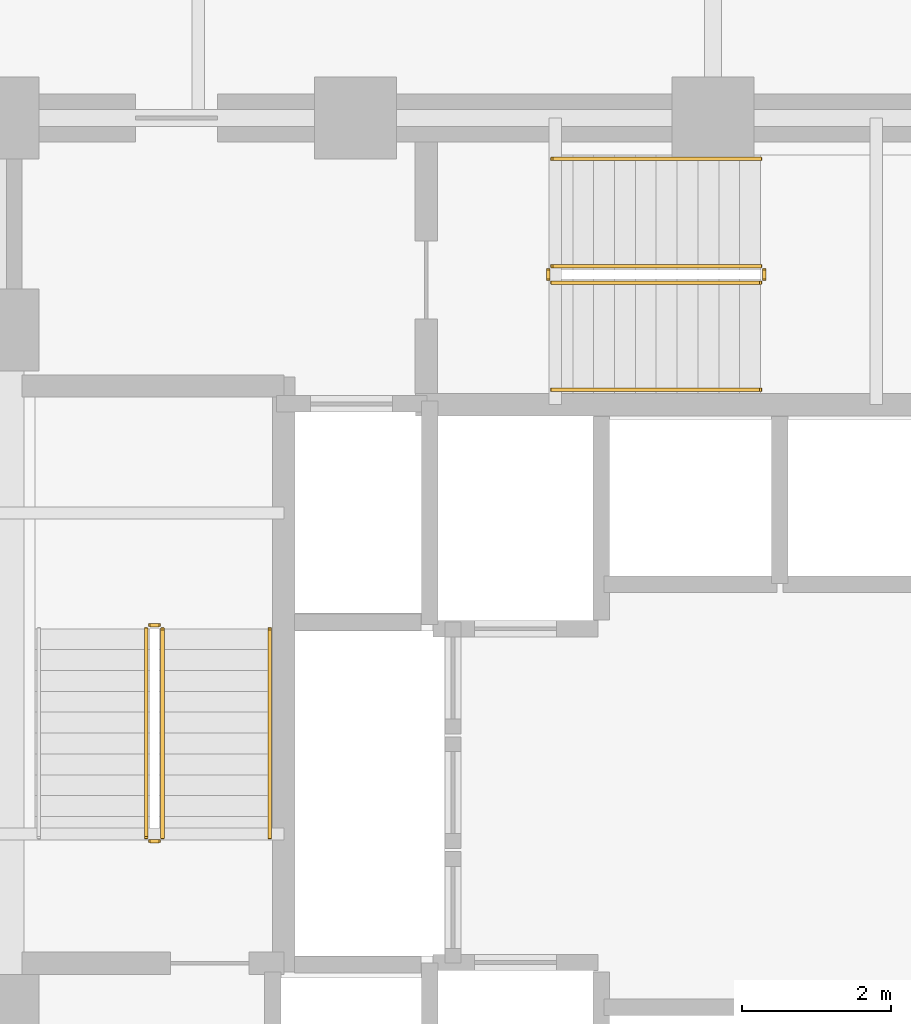
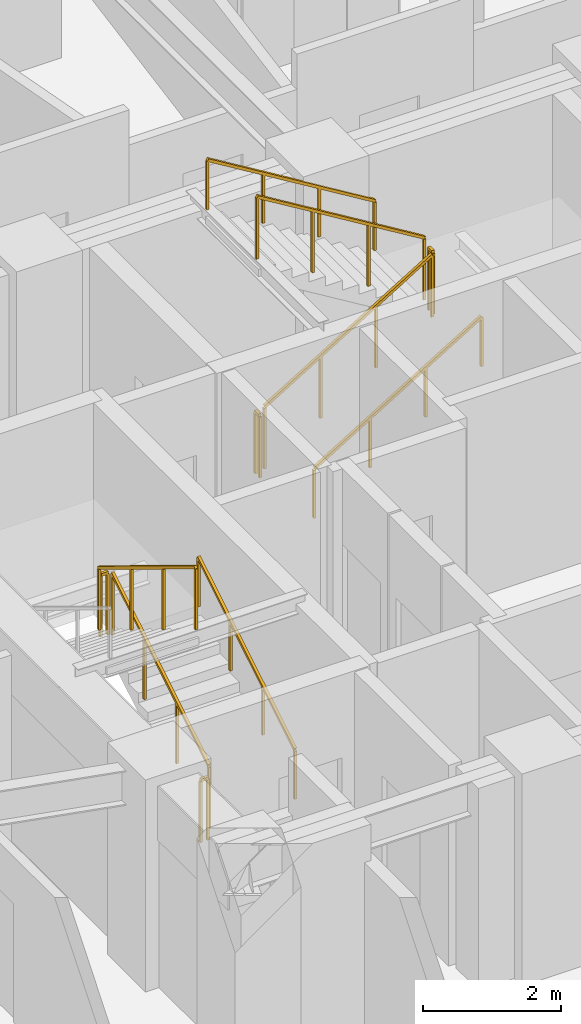
# One storey, part 30 of 33: 11 railings.
"""IFC4 building model written with IfcOpenShell, lengths in metres."""

from ifc_helpers import new_model, si_unit, direction, frame, origin, origin_2d, place, context, subcontext, project, spatial, rectangle, extrude, material, type_object, element, save


model = new_model("IFC4")

# Units and contexts
model_context = context("Model", 3, precision=1e-05, world=origin(), true_north=direction((0.0, 1.0)))
body_context = subcontext(model_context, "Body", "Model", "MODEL_VIEW")
ifc_project = project(units=[si_unit("LENGTHUNIT", "METRE"), si_unit("AREAUNIT", "SQUARE_METRE"), si_unit("VOLUMEUNIT", "CUBIC_METRE"), si_unit("PLANEANGLEUNIT", "RADIAN"), si_unit("MASSUNIT", "GRAM", prefix="KILO")], contexts=[model_context])

# Site, building, storey
site_placement = place(None, origin())
site = spatial("IfcSite", under=ifc_project, at=site_placement, CompositionType="ELEMENT")
building_placement = place(site_placement, origin())
building = spatial("IfcBuilding", under=site, at=building_placement, Name="Vantalir Tower", CompositionType="ELEMENT")
storey_placement = place(building_placement, frame((0.0, 0.0, 68.25)))
storey = spatial("IfcBuildingStorey", under=building, at=storey_placement, Name="L16", CompositionType="ELEMENT", Elevation=68.25)

# Railings
ifc_material_1 = material(Name="Anodised aluminium and stainless steel guard", Category="steel")
railing_type_1 = type_object("IfcRailingType", Name="RAL-GUARD-1120", PredefinedType="GUARDRAIL", material=ifc_material_1)
railing_1_placement = place(storey_placement, frame((24.110107421875, 22.7900390625, 0.17041015625)))
element("IfcRailing", 1, at=railing_1_placement, inside=storey, type_object=railing_type_1, Name="L16 ST1 stair guard 1", PredefinedType="GUARDRAIL", context=body_context, shape_type="SweptSolid", body=[
    extrude(rectangle(XDim=0.048095703125, YDim=0.048095703125, at=origin_2d()), frame((0.0, 0.0, 1.09619140625), z_axis=(0.0, 0.854169791009, 0.51999420009), x_axis=(-1.0, 0.0, 0.0)), (0.0, 0.0, 1.0), 3.278076171875),
    extrude(rectangle(XDim=0.0419921875, YDim=0.0419921875, at=origin_2d()), origin(), (0.0, 0.0, 1.0), 1.072021484375),
    extrude(rectangle(XDim=0.0419921875, YDim=0.0419921875, at=origin_2d()), frame((0.0, 0.933349609375, 0.568115234375)), (0.0, 0.0, 1.0), 1.072021484375),
    extrude(rectangle(XDim=0.0419921875, YDim=0.0419921875, at=origin_2d()), frame((0.0, 1.86669921875, 1.136474609375)), (0.0, 0.0, 1.0), 1.072021484375),
    extrude(rectangle(XDim=0.0419921875, YDim=0.0419921875, at=origin_2d()), frame((0.0, 2.800048828125, 1.70458984375)), (0.0, 0.0, 1.0), 1.072021484375),
])
railing_2_placement = place(storey_placement, frame((24.06005859375, 25.639892578125, 1.875)))
element("IfcRailing", 2, at=railing_2_placement, inside=storey, type_object=railing_type_1, Name="L16 ST1 stair guard 2", PredefinedType="GUARDRAIL", context=body_context, shape_type="SweptSolid", body=[
    extrude(rectangle(XDim=0.048095703125, YDim=0.048095703125, at=origin_2d()), frame((0.0, 0.0, 1.09619140625), z_axis=(-1.0, 0.0, 0.0), x_axis=(0.0, -1.0, 0.0)), (0.0, 0.0, 1.0), 0.1201171875),
    extrude(rectangle(XDim=0.0419921875, YDim=0.0419921875, at=origin_2d()), origin(), (0.0, 0.0, 1.0), 1.072021484375),
    extrude(rectangle(XDim=0.0419921875, YDim=0.0419921875, at=origin_2d()), frame((-0.1201171875, 0.0, 0.0)), (0.0, 0.0, 1.0), 1.072021484375),
])
railing_3_placement = place(storey_placement, frame((23.889892578125, 25.590087890625, 2.04541015625)))
element("IfcRailing", 3, at=railing_3_placement, inside=storey, type_object=railing_type_1, Name="L16 ST1 stair guard 3", PredefinedType="GUARDRAIL", context=body_context, shape_type="SweptSolid", body=[
    extrude(rectangle(XDim=0.048095703125, YDim=0.048095703125, at=origin_2d()), frame((0.0, 0.0, 1.09619140625), z_axis=(0.0, -0.854169791009, 0.51999420009), x_axis=(1.0, 0.0, 0.0)), (0.0, 0.0, 1.0), 3.278076171875),
    extrude(rectangle(XDim=0.0419921875, YDim=0.0419921875, at=origin_2d()), origin(), (0.0, 0.0, 1.0), 1.072021484375),
    extrude(rectangle(XDim=0.0419921875, YDim=0.0419921875, at=origin_2d()), frame((0.0, -0.933349609375, 0.568115234375)), (0.0, 0.0, 1.0), 1.072021484375),
    extrude(rectangle(XDim=0.0419921875, YDim=0.0419921875, at=origin_2d()), frame((0.0, -1.86669921875, 1.136474609375)), (0.0, 0.0, 1.0), 1.072021484375),
    extrude(rectangle(XDim=0.0419921875, YDim=0.0419921875, at=origin_2d()), frame((0.0, -2.800048828125, 1.70458984375)), (0.0, 0.0, 1.0), 1.072021484375),
])
railing_4_placement = place(storey_placement, frame((24.06005859375, 22.739990234375, 0.0)))
element("IfcRailing", 4, at=railing_4_placement, inside=storey, type_object=railing_type_1, Name="L16 ST1 stair guard 4", PredefinedType="GUARDRAIL", context=body_context, shape_type="SweptSolid", body=[
    extrude(rectangle(XDim=0.048095703125, YDim=0.048095703125, at=origin_2d()), frame((0.0, 0.0, 1.09619140625), z_axis=(-1.0, 0.0, 0.0), x_axis=(0.0, -1.0, 0.0)), (0.0, 0.0, 1.0), 0.1201171875),
    extrude(rectangle(XDim=0.0419921875, YDim=0.0419921875, at=origin_2d()), origin(), (0.0, 0.0, 1.0), 1.072021484375),
    extrude(rectangle(XDim=0.0419921875, YDim=0.0419921875, at=origin_2d()), frame((-0.1201171875, 0.0, 0.0)), (0.0, 0.0, 1.0), 1.072021484375),
])
railing_5_placement = place(storey_placement, frame((29.340087890625, 30.239990234375, 0.17041015625)))
element("IfcRailing", 5, at=railing_5_placement, inside=storey, type_object=railing_type_1, Name="L16 ST3 stair guard 1", PredefinedType="GUARDRAIL", context=body_context, shape_type="SweptSolid", body=[
    extrude(rectangle(XDim=0.048095703125, YDim=0.048095703125, at=origin_2d()), frame((0.0, 0.0, 1.09619140625), z_axis=(0.854149651119, 0.0, 0.520027281489), x_axis=(0.0, 1.0, 0.0)), (0.0, 0.0, 1.0), 3.27783203125),
    extrude(rectangle(XDim=0.0419921875, YDim=0.0419921875, at=origin_2d()), origin(), (0.0, 0.0, 1.0), 1.072021484375),
    extrude(rectangle(XDim=0.0419921875, YDim=0.0419921875, at=origin_2d()), frame((0.933349609375, 0.0, 0.568115234375)), (0.0, 0.0, 1.0), 1.072021484375),
    extrude(rectangle(XDim=0.0419921875, YDim=0.0419921875, at=origin_2d()), frame((1.866455078125, 0.0, 1.136474609375)), (0.0, 0.0, 1.0), 1.072021484375),
    extrude(rectangle(XDim=0.0419921875, YDim=0.0419921875, at=origin_2d()), frame((2.7998046875, 0.0, 1.70458984375)), (0.0, 0.0, 1.0), 1.072021484375),
])
railing_6_placement = place(storey_placement, frame((32.18994140625, 30.2900390625, 1.875)))
element("IfcRailing", 6, at=railing_6_placement, inside=storey, type_object=railing_type_1, Name="L16 ST3 stair guard 2", PredefinedType="GUARDRAIL", context=body_context, shape_type="SweptSolid", body=[
    extrude(rectangle(XDim=0.048095703125, YDim=0.048095703125, at=origin_2d()), frame((0.0, 0.0, 1.09619140625), z_axis=(0.0, 1.0, 0.0), x_axis=(-1.0, 0.0, 0.0)), (0.0, 0.0, 1.0), 0.119873046875),
    extrude(rectangle(XDim=0.0419921875, YDim=0.0419921875, at=origin_2d()), origin(), (0.0, 0.0, 1.0), 1.072021484375),
    extrude(rectangle(XDim=0.0419921875, YDim=0.0419921875, at=origin_2d()), frame((0.0, 0.119873046875, 0.0)), (0.0, 0.0, 1.0), 1.072021484375),
])
railing_7_placement = place(storey_placement, frame((32.139892578125, 30.4599609375, 2.04541015625)))
element("IfcRailing", 7, at=railing_7_placement, inside=storey, type_object=railing_type_1, Name="L16 ST3 stair guard 3", PredefinedType="GUARDRAIL", context=body_context, shape_type="SweptSolid", body=[
    extrude(rectangle(XDim=0.048095703125, YDim=0.048095703125, at=origin_2d()), frame((0.0, 0.0, 1.09619140625), z_axis=(-0.854149651119, 0.0, 0.520027281489), x_axis=(0.0, -1.0, 0.0)), (0.0, 0.0, 1.0), 3.27783203125),
    extrude(rectangle(XDim=0.0419921875, YDim=0.0419921875, at=origin_2d()), origin(), (0.0, 0.0, 1.0), 1.072021484375),
    extrude(rectangle(XDim=0.0419921875, YDim=0.0419921875, at=origin_2d()), frame((-0.933349609375, 0.0, 0.568115234375)), (0.0, 0.0, 1.0), 1.072021484375),
    extrude(rectangle(XDim=0.0419921875, YDim=0.0419921875, at=origin_2d()), frame((-1.866455078125, 0.0, 1.136474609375)), (0.0, 0.0, 1.0), 1.072021484375),
    extrude(rectangle(XDim=0.0419921875, YDim=0.0419921875, at=origin_2d()), frame((-2.7998046875, 0.0, 1.70458984375)), (0.0, 0.0, 1.0), 1.072021484375),
])
railing_8_placement = place(storey_placement, frame((29.2900390625, 30.2900390625, 0.0)))
element("IfcRailing", 8, at=railing_8_placement, inside=storey, type_object=railing_type_1, Name="L16 ST3 stair guard 4", PredefinedType="GUARDRAIL", context=body_context, shape_type="SweptSolid", body=[
    extrude(rectangle(XDim=0.048095703125, YDim=0.048095703125, at=origin_2d()), frame((0.0, 0.0, 1.09619140625), z_axis=(0.0, 1.0, 0.0), x_axis=(-1.0, 0.0, 0.0)), (0.0, 0.0, 1.0), 0.119873046875),
    extrude(rectangle(XDim=0.0419921875, YDim=0.0419921875, at=origin_2d()), origin(), (0.0, 0.0, 1.0), 1.072021484375),
    extrude(rectangle(XDim=0.0419921875, YDim=0.0419921875, at=origin_2d()), frame((0.0, 0.119873046875, 0.0)), (0.0, 0.0, 1.0), 1.072021484375),
])
ifc_material_2 = material(Name="Brushed stainless steel tubular handrail", Category="steel")
railing_type_2 = type_object("IfcRailingType", Name="RAL-HANDRAIL-900", PredefinedType="HANDRAIL", material=ifc_material_2)
railing_9_placement = place(storey_placement, frame((25.550048828125, 22.7900390625, 0.17041015625)))
element("IfcRailing", 9, at=railing_9_placement, inside=storey, type_object=railing_type_2, Name="L16 ST1 stair handrail 1", PredefinedType="HANDRAIL", context=body_context, shape_type="SweptSolid", body=[
    extrude(rectangle(XDim=0.048095703125, YDim=0.048095703125, at=origin_2d()), frame((0.0, 0.0, 0.8759765625), z_axis=(0.0, 0.854169791009, 0.51999420009), x_axis=(-1.0, 0.0, 0.0)), (0.0, 0.0, 1.0), 3.278076171875),
    extrude(rectangle(XDim=0.0419921875, YDim=0.0419921875, at=origin_2d()), origin(), (0.0, 0.0, 1.0), 0.851806640625),
    extrude(rectangle(XDim=0.0419921875, YDim=0.0419921875, at=origin_2d()), frame((0.0, 0.933349609375, 0.568115234375)), (0.0, 0.0, 1.0), 0.851806640625),
    extrude(rectangle(XDim=0.0419921875, YDim=0.0419921875, at=origin_2d()), frame((0.0, 1.86669921875, 1.136474609375)), (0.0, 0.0, 1.0), 0.851806640625),
    extrude(rectangle(XDim=0.0419921875, YDim=0.0419921875, at=origin_2d()), frame((0.0, 2.800048828125, 1.70458984375)), (0.0, 0.0, 1.0), 0.851806640625),
])
railing_10_placement = place(storey_placement, frame((29.340087890625, 28.800048828125, 0.17041015625)))
element("IfcRailing", 10, at=railing_10_placement, inside=storey, type_object=railing_type_2, Name="L16 ST3 stair handrail 1", PredefinedType="HANDRAIL", context=body_context, shape_type="SweptSolid", body=[
    extrude(rectangle(XDim=0.048095703125, YDim=0.048095703125, at=origin_2d()), frame((0.0, 0.0, 0.8759765625), z_axis=(0.854149651119, 0.0, 0.520027281489), x_axis=(0.0, 1.0, 0.0)), (0.0, 0.0, 1.0), 3.27783203125),
    extrude(rectangle(XDim=0.0419921875, YDim=0.0419921875, at=origin_2d()), origin(), (0.0, 0.0, 1.0), 0.851806640625),
    extrude(rectangle(XDim=0.0419921875, YDim=0.0419921875, at=origin_2d()), frame((0.933349609375, 0.0, 0.568115234375)), (0.0, 0.0, 1.0), 0.851806640625),
    extrude(rectangle(XDim=0.0419921875, YDim=0.0419921875, at=origin_2d()), frame((1.866455078125, 0.0, 1.136474609375)), (0.0, 0.0, 1.0), 0.851806640625),
    extrude(rectangle(XDim=0.0419921875, YDim=0.0419921875, at=origin_2d()), frame((2.7998046875, 0.0, 1.70458984375)), (0.0, 0.0, 1.0), 0.851806640625),
])
railing_11_placement = place(storey_placement, frame((32.139892578125, 31.89990234375, 2.04541015625)))
element("IfcRailing", 11, at=railing_11_placement, inside=storey, type_object=railing_type_2, Name="L16 ST3 stair handrail 2", PredefinedType="HANDRAIL", context=body_context, shape_type="SweptSolid", body=[
    extrude(rectangle(XDim=0.048095703125, YDim=0.048095703125, at=origin_2d()), frame((0.0, 0.0, 0.8759765625), z_axis=(-0.854149651119, 0.0, 0.520027281489), x_axis=(0.0, -1.0, 0.0)), (0.0, 0.0, 1.0), 3.27783203125),
    extrude(rectangle(XDim=0.0419921875, YDim=0.0419921875, at=origin_2d()), origin(), (0.0, 0.0, 1.0), 0.851806640625),
    extrude(rectangle(XDim=0.0419921875, YDim=0.0419921875, at=origin_2d()), frame((-0.933349609375, 0.0, 0.568115234375)), (0.0, 0.0, 1.0), 0.851806640625),
    extrude(rectangle(XDim=0.0419921875, YDim=0.0419921875, at=origin_2d()), frame((-1.866455078125, 0.0, 1.136474609375)), (0.0, 0.0, 1.0), 0.851806640625),
    extrude(rectangle(XDim=0.0419921875, YDim=0.0419921875, at=origin_2d()), frame((-2.7998046875, 0.0, 1.70458984375)), (0.0, 0.0, 1.0), 0.851806640625),
])

save(model, "model.ifc")
